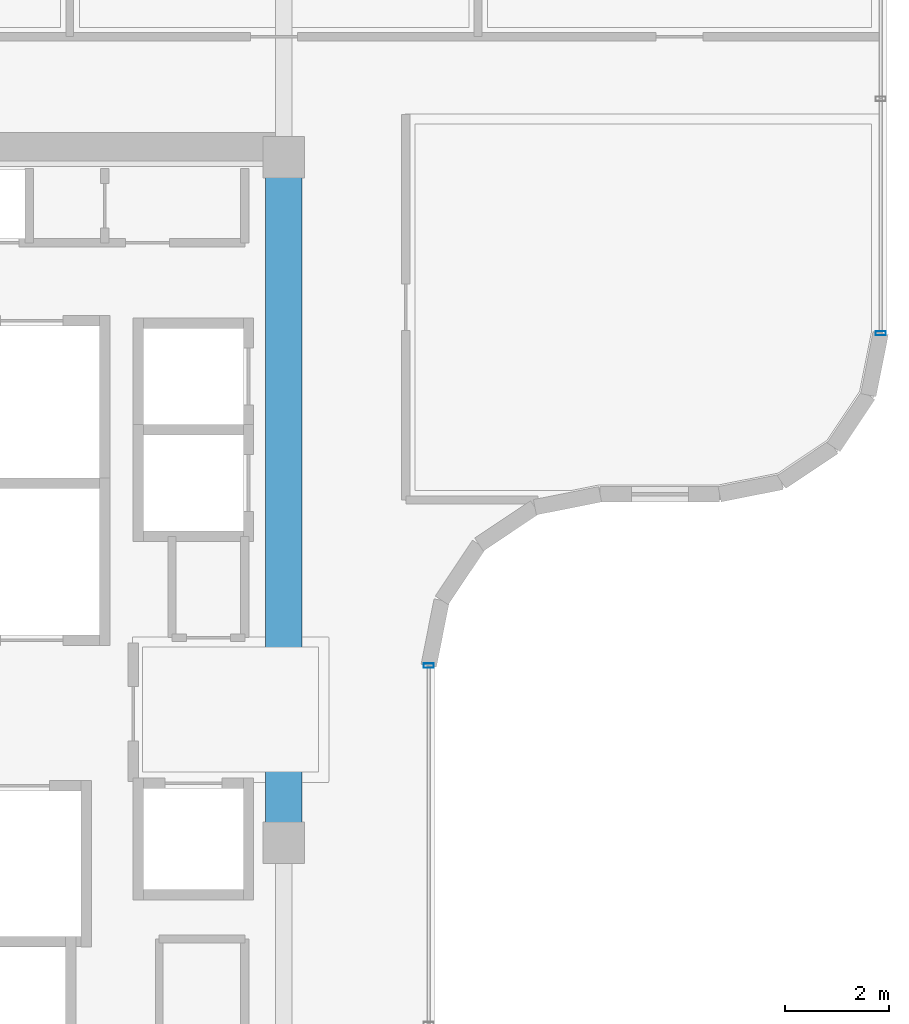
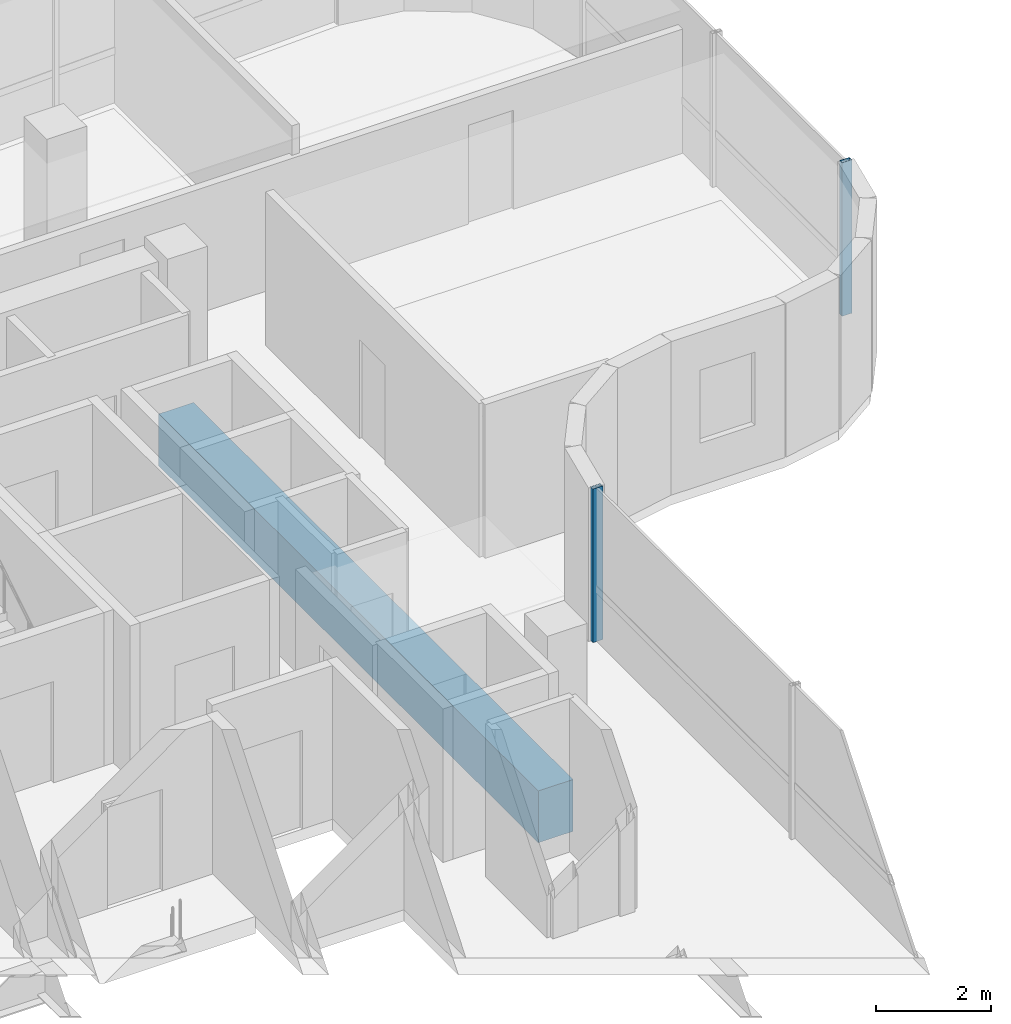
# One storey, part 10 of 21: 2 members, 1 beam, 2 elements without a shape of their own.
"""IFC4 building model written with IfcOpenShell, lengths in metres."""

from ifc_helpers import new_model, si_unit, direction, frame, origin, origin_2d, place, context, subcontext, project, spatial, rectangle, hollow_rectangle, extrude, source, transform, mapped, material, material_profile, profile_set, type_object, element, aggregate, save


model = new_model("IFC4")

# Units and contexts
model_context = context("Model", 3, precision=1e-05, world=origin(), true_north=direction((0.0, 1.0)))
body_context = subcontext(model_context, "Body", "Model", "MODEL_VIEW")
ifc_project = project(units=[si_unit("LENGTHUNIT", "METRE"), si_unit("AREAUNIT", "SQUARE_METRE"), si_unit("VOLUMEUNIT", "CUBIC_METRE"), si_unit("PLANEANGLEUNIT", "RADIAN"), si_unit("MASSUNIT", "GRAM", prefix="KILO")], contexts=[model_context])

# Site, building, storey
site_placement = place(None, origin())
site = spatial("IfcSite", under=ifc_project, at=site_placement, CompositionType="ELEMENT")
building_placement = place(site_placement, origin())
building = spatial("IfcBuilding", under=site, at=building_placement, Name="Valdorenza Pilgrim Sanctuary Tower", CompositionType="ELEMENT")
storey_placement = place(building_placement, frame((0.0, 0.0, 254.5)))
storey = spatial("IfcBuildingStorey", under=building, at=storey_placement, Name="L66", CompositionType="ELEMENT", Elevation=254.5)

# Beam
ifc_material_1 = material(Name="Concrete C50/60", Category="concrete")
ifc_material_profile_1 = material_profile(ifc_material_1, rectangle(XDim=0.699951171875, YDim=1.10009765625, at=origin_2d()), Name="RC 1100x700")
ifc_profile_set_1 = profile_set([ifc_material_profile_1], Name="Concrete C50/60")
beam_type = type_object("IfcBeamType", Name="STR-BM-LNT-1100", PredefinedType="LINTEL", material=ifc_profile_set_1)
shared_shape_1 = source(origin(), body_context, "Body", "SweptSolid", [
    extrude(rectangle(XDim=0.699951171875, YDim=1.10009765625, at=origin_2d()), origin(), (0.0, 0.0, 1.0), 13.2001953125),
])
beam_placement = place(storey_placement, frame((-12.39990234375, -2.60009765625, -0.590087890625), z_axis=(0.0, 1.0, 0.0), x_axis=(-1.0, 0.0, 0.0)))
element("IfcBeam", 1, at=beam_placement, inside=storey, type_object=beam_type, Name="L66 Core A Coupling Lintel Girder", PredefinedType="LINTEL", context=body_context, shape_type="MappedRepresentation", body=[
    mapped(shared_shape_1, transform((0.0, 0.0, 0.0), x_axis=(1.0, 0.0, 0.0), y_axis=(0.0, 1.0, 0.0), z_axis=(0.0, 0.0, 1.0), scale=1.0)),
])

# Curtain wall, member
ifc_material_2 = material(Name="Curtain-wall IGU glazing", Category="glass")
curtain_wall_type = type_object("IfcCurtainWallType", Name="CW-SYS-02", PredefinedType="NOTDEFINED", material=ifc_material_2)
curtain_wall_1_placement = place(storey_placement, origin())
curtain_wall_1 = element("IfcCurtainWall", 2, at=curtain_wall_1_placement, inside=storey, type_object=curtain_wall_type, Name="L66 Curtain Wall CW-L66-1-11", PredefinedType="NOTDEFINED")
ifc_material_3 = material(Name="Anodised aluminium AW-6060", Category="aluminium")
ifc_material_profile_2 = material_profile(ifc_material_3, hollow_rectangle(XDim=0.0849609375, YDim=0.199951171875, WallThickness=0.0048828125, at=origin_2d()), Name="ALU-M 200x85x5")
ifc_profile_set_2 = profile_set([ifc_material_profile_2], Name="Anodised aluminium AW-6060")
member_type = type_object("IfcMemberType", Name="CW-MUL-02", PredefinedType="MULLION", material=ifc_profile_set_2)
shared_shape_2 = source(origin(), body_context, "Body", "SweptSolid", [
    extrude(hollow_rectangle(XDim=0.0849609375, YDim=0.199951171875, WallThickness=0.0048828125, at=origin_2d()), origin(), (0.0, 0.0, 1.0), 3.260009765625),
])
member_1_placement = place(storey_placement, frame((-0.909912109375, 7.210693359375, 0.0), z_axis=(0.0, 0.0, 1.0), x_axis=(0.0, -1.0, 0.0)))
member_1 = element("IfcMember", 3, at=member_1_placement, type_object=member_type, Name="CW-L66-1-11 Mullion 3", PredefinedType="MULLION", context=body_context, shape_type="MappedRepresentation", body=[
    mapped(shared_shape_2, transform((0.0, 0.0, 0.0), x_axis=(1.0, 0.0, 0.0), y_axis=(0.0, 1.0, 0.0), z_axis=(0.0, 0.0, 1.0), scale=1.0)),
])
aggregate(curtain_wall_1, [member_1])

curtain_wall_2_placement = place(storey_placement, origin())
curtain_wall_2 = element("IfcCurtainWall", 4, at=curtain_wall_2_placement, inside=storey, type_object=curtain_wall_type, Name="L66 Curtain Wall CW-L66-1-21", PredefinedType="NOTDEFINED")
member_2_placement = place(storey_placement, frame((-9.610107421875, 0.810791015625, 0.0), z_axis=(0.0, 0.0, 1.0), x_axis=(0.0, -1.0, 0.0)))
member_2 = element("IfcMember", 5, at=member_2_placement, type_object=member_type, Name="CW-L66-1-21 Mullion 1", PredefinedType="MULLION", context=body_context, shape_type="MappedRepresentation", body=[
    mapped(shared_shape_2, transform((0.0, 0.0, 0.0), x_axis=(1.0, 0.0, 0.0), y_axis=(0.0, 1.0, 0.0), z_axis=(0.0, 0.0, 1.0), scale=1.0)),
])
aggregate(curtain_wall_2, [member_2])

save(model, "model.ifc")
